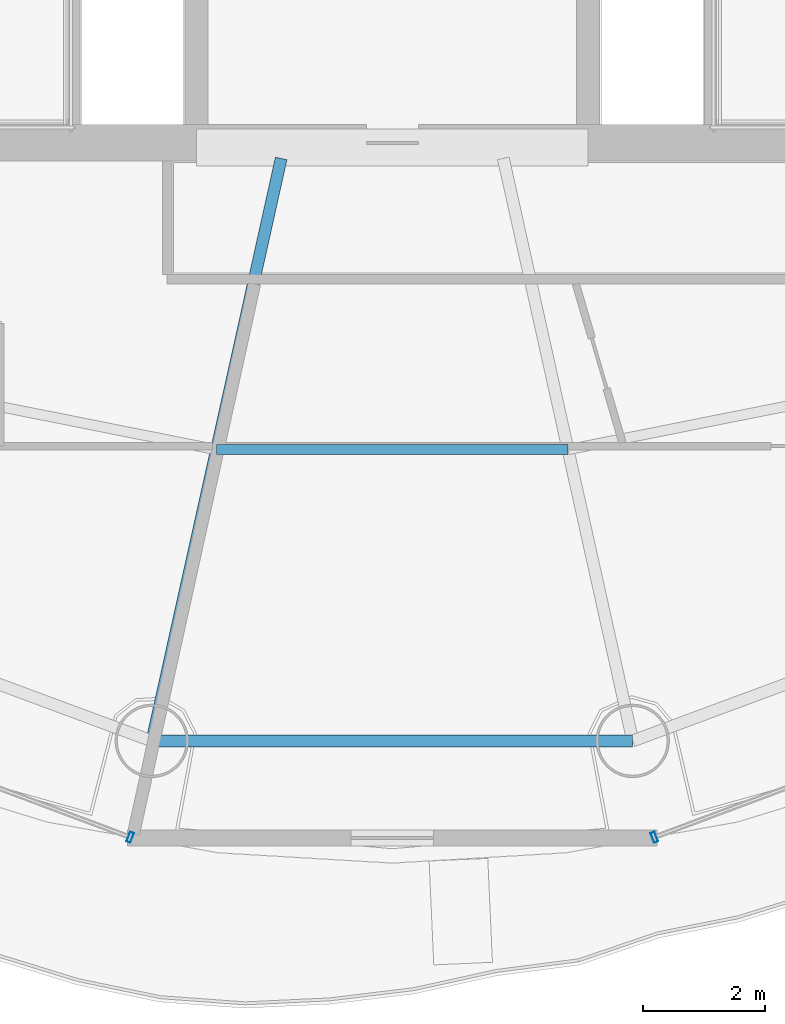
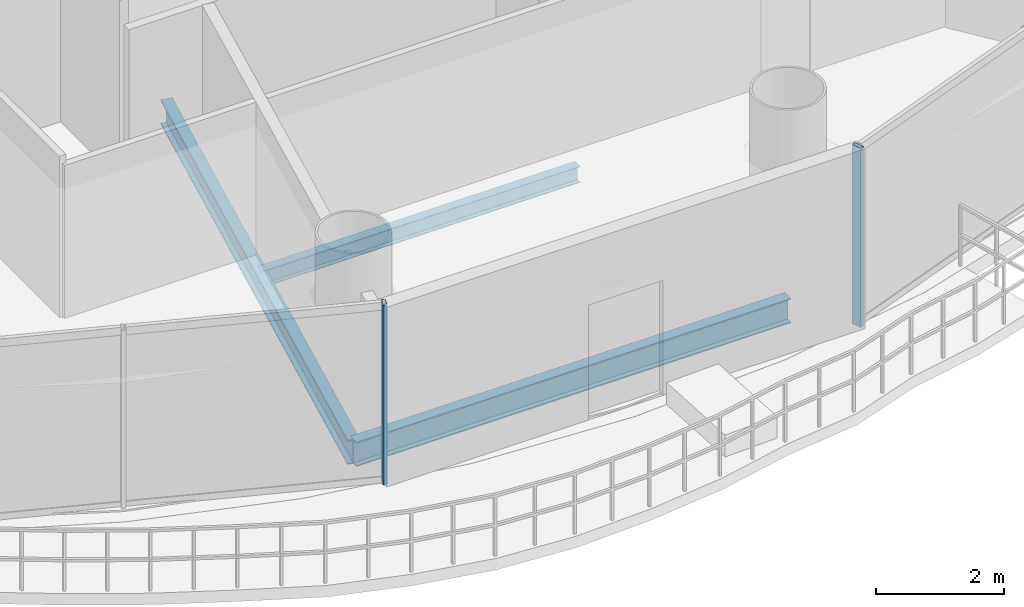
# One storey, part 5 of 26: 3 beams, 2 members, 2 elements without a shape of their own.
"""IFC4 building model written with IfcOpenShell, lengths in metres."""

from ifc_helpers import new_model, si_unit, direction, frame, origin, origin_2d, place, context, subcontext, project, spatial, hollow_rectangle, i_section, extrude, source, transform, mapped, material, material_profile, profile_set, type_object, element, aggregate, save


model = new_model("IFC4")

# Units and contexts
model_context = context("Model", 3, precision=1e-05, world=origin(), true_north=direction((-0.2419218956, 0.970295726276)))
body_context = subcontext(model_context, "Body", "Model", "MODEL_VIEW")
ifc_project = project(units=[si_unit("LENGTHUNIT", "METRE"), si_unit("AREAUNIT", "SQUARE_METRE"), si_unit("VOLUMEUNIT", "CUBIC_METRE"), si_unit("PLANEANGLEUNIT", "RADIAN"), si_unit("MASSUNIT", "GRAM", prefix="KILO")], contexts=[model_context])

# Site, building, storey
site_placement = place(None, origin())
site = spatial("IfcSite", under=ifc_project, at=site_placement, CompositionType="ELEMENT")
building_placement = place(site_placement, origin())
building = spatial("IfcBuilding", under=site, at=building_placement, Name="Cobrevalo Terracotta Tower", CompositionType="ELEMENT")
storey_placement = place(building_placement, frame((0.0, 0.0, 224.5)))
storey = spatial("IfcBuildingStorey", under=building, at=storey_placement, Name="L59", CompositionType="ELEMENT", Elevation=224.5)

# Beams
ifc_material_1 = material(Name="Steel S355", Category="steel")
ifc_material_profile_1 = material_profile(ifc_material_1, i_section(OverallWidth=0.194091796875, OverallDepth=0.468994140625, WebThickness=0.011474609375, FlangeThickness=0.0205078125, at=origin_2d()), Name="W 460x106")
ifc_profile_set_1 = profile_set([ifc_material_profile_1], Name="Steel S355")
beam_type_1 = type_object("IfcBeamType", Name="Structural Beam W 460x106 (Steel S355)", PredefinedType="BEAM", material=ifc_profile_set_1)
beam_1_placement = place(storey_placement, frame((34.06884765625, 9.096923828125, -0.49951171875), z_axis=(0.216782061165, 0.976220025382, 0.0), x_axis=(-0.976220025382, 0.216782061165, 0.0)))
element("IfcBeam", 1, at=beam_1_placement, inside=storey, type_object=beam_type_1, Name="L59 radial floor girder 12", PredefinedType="BEAM", context=body_context, shape_type="SweptSolid", body=[
    extrude(i_section(OverallWidth=0.194091796875, OverallDepth=0.468994140625, WebThickness=0.011474609375, FlangeThickness=0.0205078125, at=origin_2d()), origin(), (0.0, 0.0, 1.0), 9.755126953125),
])
ifc_material_profile_2 = material_profile(ifc_material_1, i_section(OverallWidth=0.1650390625, OverallDepth=0.31005859375, WebThickness=0.005859375, FlangeThickness=0.009765625, at=origin_2d()), Name="W 310x38.7")
ifc_profile_set_2 = profile_set([ifc_material_profile_2], Name="Steel S355")
beam_type_2 = type_object("IfcBeamType", Name="Structural Joist W 310x38.7 (Steel S355)", PredefinedType="JOIST", material=ifc_profile_set_2)
beam_2_placement = place(storey_placement, frame((35.126220703125, 13.8583984375, -0.419921875), z_axis=(1.0, 0.0, 0.0), x_axis=(0.0, 1.0, 0.0)))
element("IfcBeam", 2, at=beam_2_placement, inside=storey, type_object=beam_type_2, Name="L59 circumferential secondary floor joist 12", PredefinedType="JOIST", context=body_context, shape_type="SweptSolid", body=[
    extrude(i_section(OverallWidth=0.1650390625, OverallDepth=0.31005859375, WebThickness=0.005859375, FlangeThickness=0.009765625, at=origin_2d()), origin(), (0.0, 0.0, 1.0), 5.74755859375),
])
ifc_material_profile_3 = material_profile(ifc_material_1, i_section(OverallWidth=0.194091796875, OverallDepth=0.468994140625, WebThickness=0.011474609375, FlangeThickness=0.0205078125, at=origin_2d()), Name="W 460x106")
ifc_profile_set_3 = profile_set([ifc_material_profile_3], Name="Steel S355")
beam_type_3 = type_object("IfcBeamType", Name="Structural Spandrel W 460x106 (Steel S355)", PredefinedType="SPANDREL", material=ifc_profile_set_3)
beam_3_placement = place(storey_placement, frame((34.06884765625, 9.096923828125, -0.49951171875), z_axis=(1.0, 0.0, 0.0), x_axis=(0.0, 1.0, 0.0)))
element("IfcBeam", 3, at=beam_3_placement, inside=storey, type_object=beam_type_3, Name="L59 perimeter ring spandrel 12", PredefinedType="SPANDREL", context=body_context, shape_type="SweptSolid", body=[
    extrude(i_section(OverallWidth=0.194091796875, OverallDepth=0.468994140625, WebThickness=0.011474609375, FlangeThickness=0.0205078125, at=origin_2d()), origin(), (0.0, 0.0, 1.0), 7.8623046875),
])

# Curtain wall, member
ifc_material_2 = material(Name="Anodized aluminium", Category="aluminium")
curtain_wall_type = type_object("IfcCurtainWallType", Name="Mid-tower high-wind unitised curtain wall CW-U2", PredefinedType="NOTDEFINED", material=ifc_material_2)
curtain_wall_1_placement = place(storey_placement, origin())
curtain_wall_1 = element("IfcCurtainWall", 4, at=curtain_wall_1_placement, inside=storey, type_object=curtain_wall_type, Name="L59 curtain wall CW-L59-S11", PredefinedType="NOTDEFINED")
ifc_material_profile_4 = material_profile(ifc_material_2, hollow_rectangle(XDim=0.070068359375, YDim=0.169921875, WallThickness=0.00439453125, at=origin_2d()), Name="CWM 70x170")
ifc_profile_set_4 = profile_set([ifc_material_profile_4], Name="Anodized aluminium")
member_type = type_object("IfcMemberType", Name="Upper tower unitised mullion 70x170", PredefinedType="MULLION", material=ifc_profile_set_4)
shared_shape = source(origin(), body_context, "Body", "SweptSolid", [
    extrude(hollow_rectangle(XDim=0.070068359375, YDim=0.169921875, WallThickness=0.00439453125, at=origin_2d()), origin(), (0.0, 0.0, 1.0), 3.43505859375),
])
member_1_placement = place(storey_placement, frame((33.71533203125, 7.52197265625, 0.0), z_axis=(0.0, 0.0, 1.0), x_axis=(0.936556004584, -0.350517974259, 0.0)))
member_1 = element("IfcMember", 5, at=member_1_placement, type_object=member_type, Name="CW-L59-S11 vertical mullion 03", PredefinedType="MULLION", context=body_context, shape_type="MappedRepresentation", body=[
    mapped(shared_shape, transform((0.0, 0.0, 0.0), scale=1.0)),
])
aggregate(curtain_wall_1, [member_1])

curtain_wall_2_placement = place(storey_placement, origin())
curtain_wall_2 = element("IfcCurtainWall", 6, at=curtain_wall_2_placement, inside=storey, type_object=curtain_wall_type, Name="L59 curtain wall CW-L59-S13", PredefinedType="NOTDEFINED")
member_2_placement = place(storey_placement, frame((42.28466796875, 7.52197265625, 0.0), z_axis=(0.0, 0.0, 1.0), x_axis=(0.936556004584, 0.350517974259, 0.0)))
member_2 = element("IfcMember", 7, at=member_2_placement, type_object=member_type, Name="CW-L59-S13 vertical mullion 01", PredefinedType="MULLION", context=body_context, shape_type="MappedRepresentation", body=[
    mapped(shared_shape, transform((0.0, 0.0, 0.0), scale=1.0)),
])
aggregate(curtain_wall_2, [member_2])

save(model, "model.ifc")
